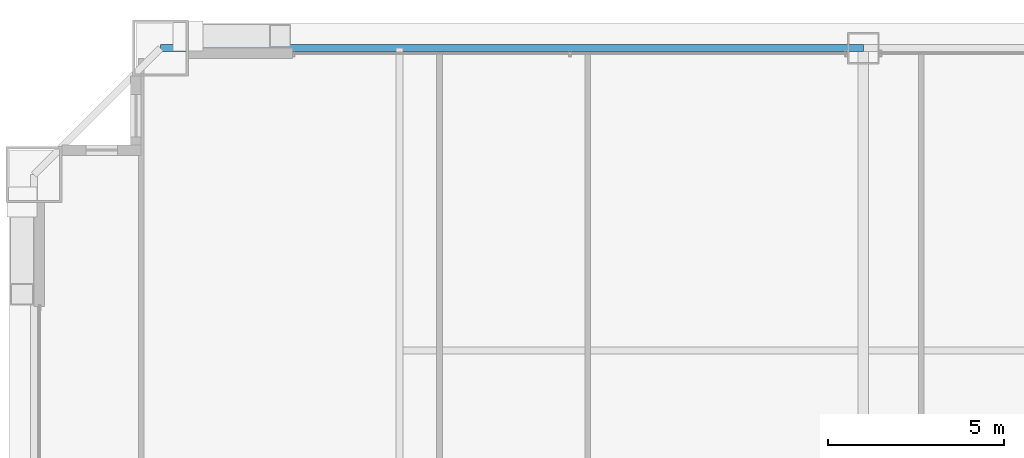
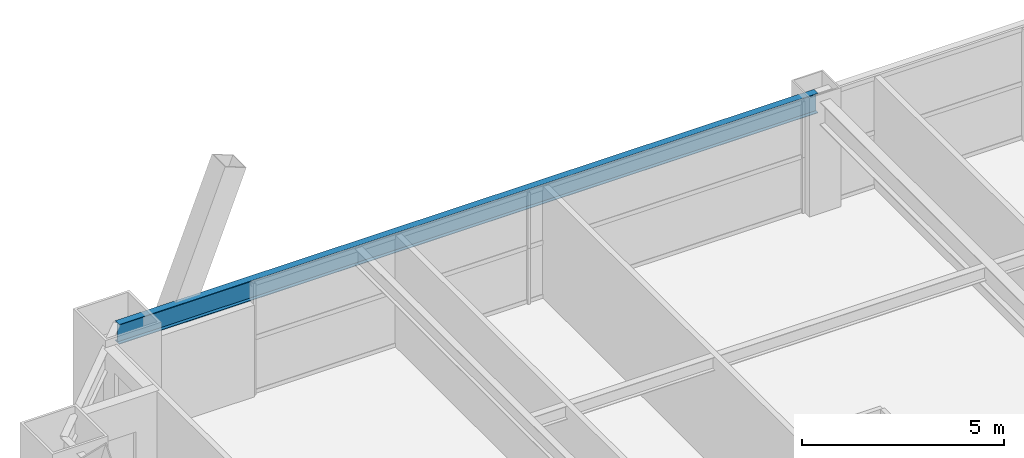
# One storey, part 27 of 41: 1 beam.
"""IFC4 building model written with IfcOpenShell, lengths in metres."""

from ifc_helpers import new_model, si_unit, direction, frame, origin, origin_2d, place, context, subcontext, project, spatial, i_section, extrude, source, transform, mapped, material, material_profile, profile_set, type_object, element, save


model = new_model("IFC4")

# Units and contexts
model_context = context("Model", 3, precision=1e-05, world=origin(), true_north=direction((0.0, 1.0)))
body_context = subcontext(model_context, "Body", "Model", "MODEL_VIEW")
ifc_project = project(units=[si_unit("LENGTHUNIT", "METRE"), si_unit("AREAUNIT", "SQUARE_METRE"), si_unit("VOLUMEUNIT", "CUBIC_METRE"), si_unit("PLANEANGLEUNIT", "RADIAN"), si_unit("MASSUNIT", "GRAM", prefix="KILO"), si_unit("THERMODYNAMICTEMPERATUREUNIT", "KELVIN"), si_unit("POWERUNIT", "WATT")], contexts=[model_context])

# Site, building, storey
site_placement = place(None, origin())
site = spatial("IfcSite", under=ifc_project, at=site_placement, CompositionType="ELEMENT")
building_placement = place(site_placement, origin())
building = spatial("IfcBuilding", under=site, at=building_placement, Name="Yuzanri Waterfront Tower", CompositionType="ELEMENT")
storey_placement = place(building_placement, frame((0.0, 0.0, 152.39990234375)))
storey = spatial("IfcBuildingStorey", under=building, at=storey_placement, Name="L40", CompositionType="ELEMENT", Elevation=152.39990234375)

# Beam
ifc_material = material(Name="Steel Q355B", Category="steel")
ifc_material_profile = material_profile(ifc_material, i_section(OverallWidth=0.199951171875, OverallDepth=0.60009765625, WebThickness=0.010986328125, FlangeThickness=0.01708984375, at=origin_2d()), Name="HN 600x200x11x17")
ifc_profile_set = profile_set([ifc_material_profile], Name="Steel Q355B")
beam_type = type_object("IfcBeamType", Name="Perimeter Spandrel Q355B HN 600x200", PredefinedType="SPANDREL", material=ifc_profile_set)
shared_shape = source(origin(), body_context, "Body", "SweptSolid", [
    extrude(i_section(OverallWidth=0.199951171875, OverallDepth=0.60009765625, WebThickness=0.010986328125, FlangeThickness=0.01708984375, at=origin_2d()), origin(), (0.0, 0.0, 1.0), 20.0),
])
beam_placement = place(storey_placement, frame((37.0, 49.39990234375, 3.080078125), z_axis=(-1.0, 0.0, 0.0), x_axis=(0.0, -1.0, 0.0)))
element("IfcBeam", 1, at=beam_placement, inside=storey, type_object=beam_type, Name="L40 Perimeter Spandrel N2-N1", PredefinedType="SPANDREL", context=body_context, shape_type="MappedRepresentation", body=[
    mapped(shared_shape, transform((0.0, 0.0, 0.0), scale=1.0)),
])

save(model, "model.ifc")
